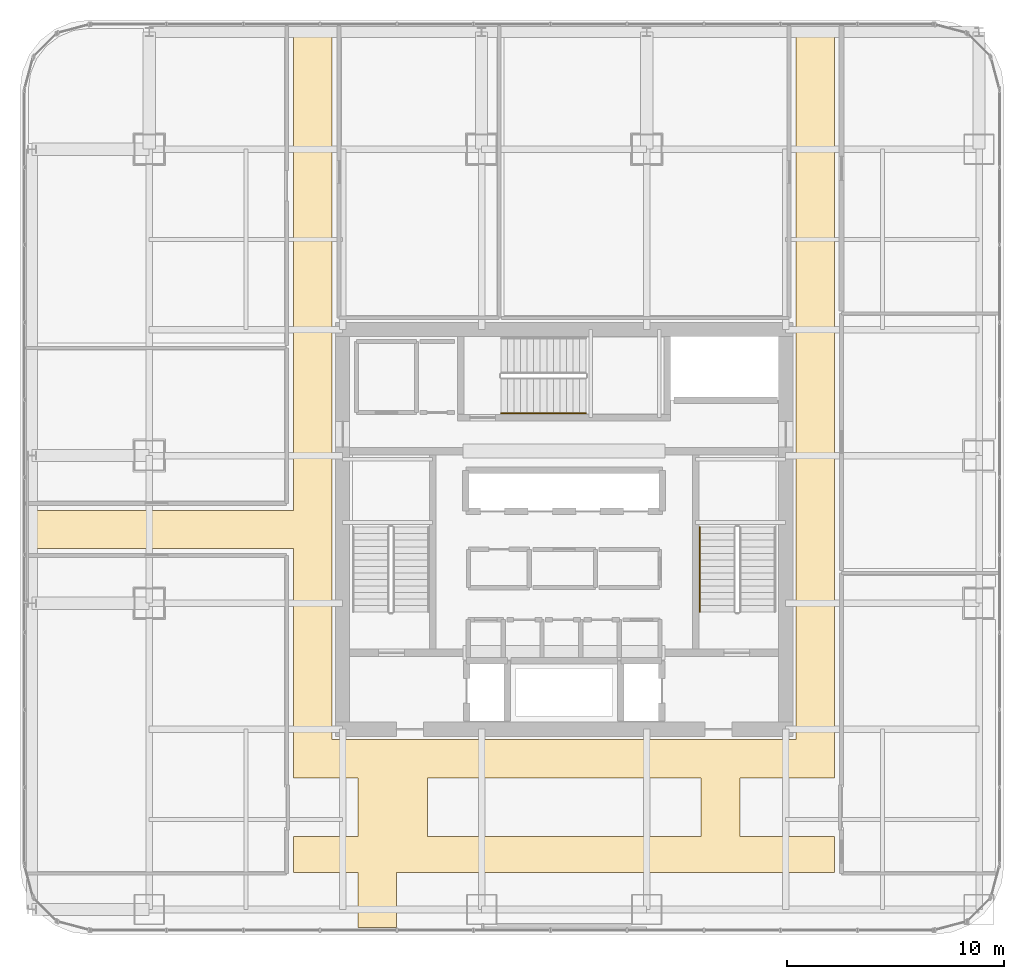
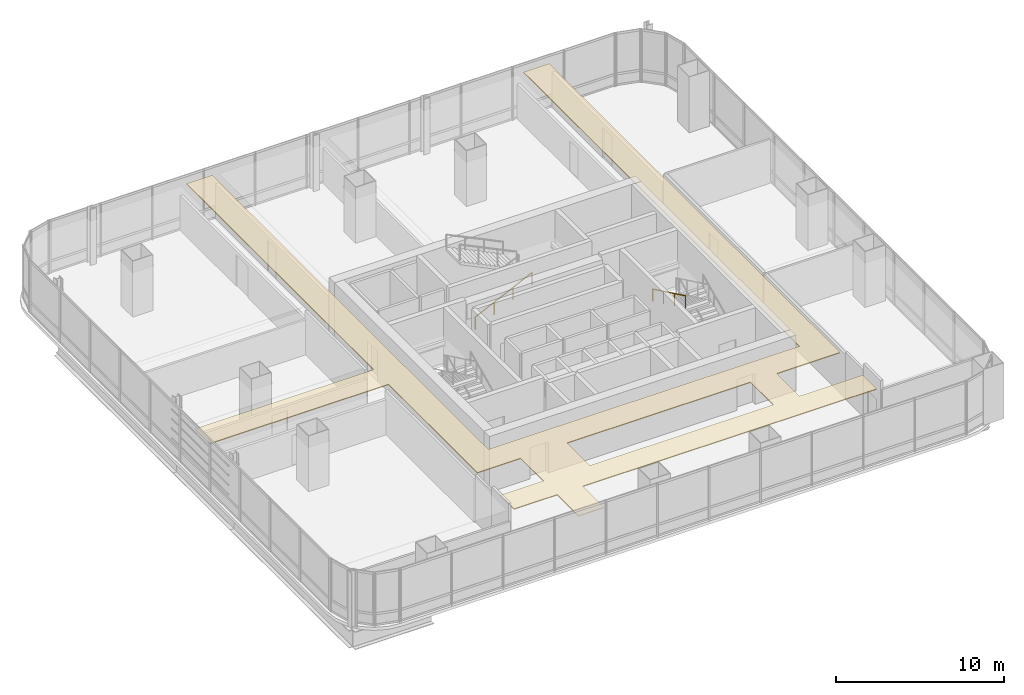
# One storey, part 36 of 38: 2 railings, 1 covering.
"""IFC4 building model written with IfcOpenShell, lengths in metres."""

from ifc_helpers import new_model, si_unit, direction, frame, origin, origin_2d, place, context, subcontext, project, spatial, polyline, circle, outline, extrude, material, layer, layer_set, type_object, element, save


model = new_model("IFC4")

# Units and contexts
model_context = context("Model", 3, precision=1e-05, world=origin(), true_north=direction((0.0, 1.0)))
body_context = subcontext(model_context, "Body", "Model", "MODEL_VIEW")
ifc_project = project(units=[si_unit("LENGTHUNIT", "METRE"), si_unit("AREAUNIT", "SQUARE_METRE"), si_unit("VOLUMEUNIT", "CUBIC_METRE"), si_unit("PLANEANGLEUNIT", "RADIAN"), si_unit("MASSUNIT", "GRAM", prefix="KILO")], contexts=[model_context])

# Site, building, storey
site_placement = place(None, origin())
site = spatial("IfcSite", under=ifc_project, at=site_placement, CompositionType="ELEMENT")
building_placement = place(site_placement, origin())
building = spatial("IfcBuilding", under=site, at=building_placement, Name="Punatoya Terracotta Tower", CompositionType="ELEMENT")
storey_placement = place(building_placement, frame((0.0, 0.0, 151.949951171875)))
storey = spatial("IfcBuildingStorey", under=building, at=storey_placement, Name="L35", CompositionType="ELEMENT", Elevation=151.949951171875)

# Covering
ifc_material_1 = material(Name="Acoustic Mineral Fibre Ceiling")
ifc_layer = layer(ifc_material_1, 0.06005859375)
ifc_layer_set = layer_set([ifc_layer], Name="Acoustic Mineral Fibre Ceiling")
covering_type = type_object("IfcCoveringType", Name="COV-CEIL-60", PredefinedType="CEILING", material=ifc_layer_set)
covering_placement = place(storey_placement, frame((0.0, 0.0, 3.219970703125)))
element("IfcCovering", 1, at=covering_placement, inside=storey, type_object=covering_type, Name="L35 Central Spine Circulation Corridor Acoustic Ceiling", PredefinedType="CEILING", context=body_context, shape_type="SweptSolid", body=[
    extrude(outline(polyline([(-7.719970703125, -15.800048828125), (12.449951171875, -15.800048828125), (12.449951171875, -14.14990234375), (8.10009765625, -14.14990234375), (8.10009765625, -11.449951171875), (12.449951171875, -11.449951171875), (12.449951171875, 23.1298828125), (10.679931640625, 23.1298828125), (10.679931640625, -9.679931640625), (-10.679931640625, -9.679931640625), (-10.679931640625, 23.1298828125), (-12.449951171875, 23.1298828125), (-12.449951171875, 0.8798828125), (-24.72998046875, 0.8798828125), (-24.72998046875, -0.8798828125), (-12.449951171875, -0.8798828125), (-12.449951171875, -11.449951171875), (-9.47998046875, -11.449951171875), (-9.47998046875, -14.14990234375), (-12.449951171875, -14.14990234375), (-12.449951171875, -15.800048828125), (-9.47998046875, -15.800048828125), (-9.47998046875, -18.330078125), (-7.719970703125, -18.330078125), (-7.719970703125, -15.800048828125)]), holes=[polyline([(6.300048828125, -14.14990234375), (-6.300048828125, -14.14990234375), (-6.300048828125, -11.449951171875), (6.300048828125, -11.449951171875), (6.300048828125, -14.14990234375)])]), origin(), (0.0, 0.0, 1.0), 0.06005859375),
])

# Railings
ifc_material_2 = material(Name="Steel S355", Category="steel")
railing_type = type_object("IfcRailingType", Name="RLG-HND-900", PredefinedType="HANDRAIL", material=ifc_material_2)
railing_1_placement = place(storey_placement, frame((6.25, 0.10009765625, 2.169677734375)))
element("IfcRailing", 2, at=railing_1_placement, inside=storey, type_object=railing_type, Name="L35 ST-2 stair handrail 2", PredefinedType="HANDRAIL", context=body_context, shape_type="SweptSolid", body=[
    extrude(circle(Radius=0.02392578125, at=origin_2d()), frame((0.0, 0.0, 0.8759765625), z_axis=(0.0, -0.900773802044, 0.434288564841), x_axis=(1.0, 0.0, 0.0)), (0.0, 0.0, 1.0), 4.329833984375),
    extrude(circle(Radius=0.02099609375, at=origin_2d()), origin(), (0.0, 0.0, 1.0), 0.851806640625),
    extrude(circle(Radius=0.02099609375, at=origin_2d()), frame((0.0, -1.300048828125, 0.626708984375)), (0.0, 0.0, 1.0), 0.851806640625),
    extrude(circle(Radius=0.02099609375, at=origin_2d()), frame((0.0, -2.60009765625, 1.253662109375)), (0.0, 0.0, 1.0), 0.851806640625),
    extrude(circle(Radius=0.02099609375, at=origin_2d()), frame((0.0, -3.900146484375, 1.88037109375)), (0.0, 0.0, 1.0), 0.851806640625),
])
railing_2_placement = place(storey_placement, frame((-2.89990234375, 5.35009765625, 0.144775390625)))
element("IfcRailing", 3, at=railing_2_placement, inside=storey, type_object=railing_type, Name="L35 ST-3 stair handrail 1", PredefinedType="HANDRAIL", context=body_context, shape_type="SweptSolid", body=[
    extrude(circle(Radius=0.02392578125, at=origin_2d()), frame((0.0, 0.0, 0.8759765625), z_axis=(0.900763166376, 0.0, 0.434310623978), x_axis=(0.0, 1.0, 0.0)), (0.0, 0.0, 1.0), 4.32958984375),
    extrude(circle(Radius=0.02099609375, at=origin_2d()), origin(), (0.0, 0.0, 1.0), 0.851806640625),
    extrude(circle(Radius=0.02099609375, at=origin_2d()), frame((1.300048828125, 0.0, 0.626708984375)), (0.0, 0.0, 1.0), 0.851806640625),
    extrude(circle(Radius=0.02099609375, at=origin_2d()), frame((2.599853515625, 0.0, 1.253662109375)), (0.0, 0.0, 1.0), 0.851806640625),
    extrude(circle(Radius=0.02099609375, at=origin_2d()), frame((3.89990234375, 0.0, 1.88037109375)), (0.0, 0.0, 1.0), 0.851806640625),
])

save(model, "model.ifc")
